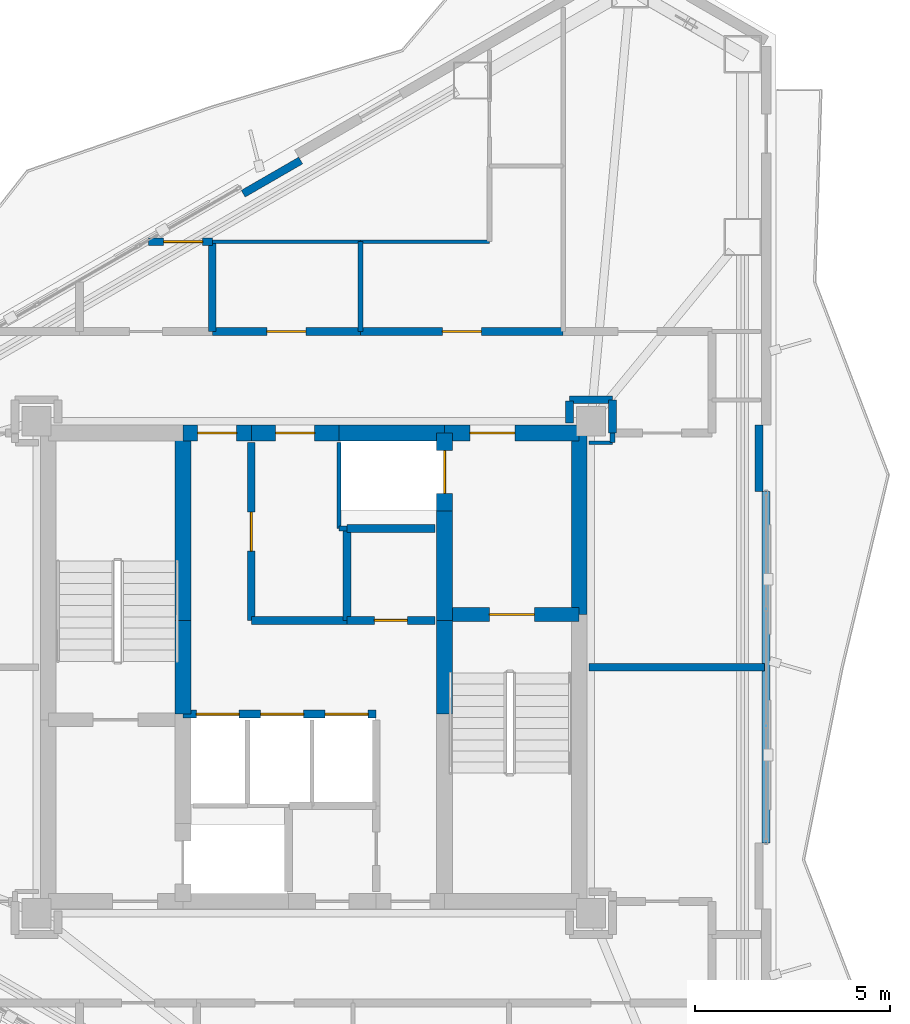
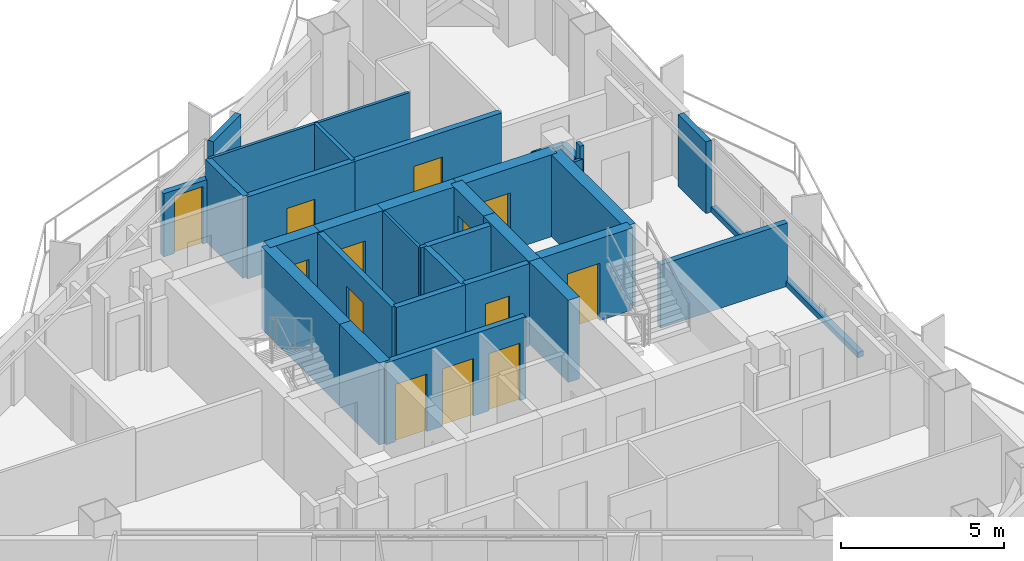
# One storey, part 18 of 21: 35 walls, 13 doors, 13 openings.
"""IFC4 building model written with IfcOpenShell, lengths in metres."""

from ifc_helpers import new_model, si_unit, direction, frame, frame_2d, origin, place, context, subcontext, project, spatial, rectangle, extrude, material, layer, layer_set, type_object, element, fill, save


model = new_model("IFC4")

# Units and contexts
model_context = context("Model", 3, precision=1e-05, world=origin(), true_north=direction((0.0, 1.0)))
body_context = subcontext(model_context, "Body", "Model", "MODEL_VIEW")
ifc_project = project(units=[si_unit("LENGTHUNIT", "METRE"), si_unit("AREAUNIT", "SQUARE_METRE"), si_unit("VOLUMEUNIT", "CUBIC_METRE"), si_unit("PLANEANGLEUNIT", "RADIAN"), si_unit("MASSUNIT", "GRAM", prefix="KILO")], contexts=[model_context])

# Site, building, storey
site_placement = place(None, origin())
site = spatial("IfcSite", under=ifc_project, at=site_placement, CompositionType="ELEMENT")
building_placement = place(site_placement, origin())
building = spatial("IfcBuilding", under=site, at=building_placement, Name="Mersakhor Tower and Convention Hall", CompositionType="ELEMENT")
storey_placement = place(building_placement, frame((0.0, 0.0, 182.10009765625)))
storey = spatial("IfcBuildingStorey", under=building, at=storey_placement, Name="L50", CompositionType="ELEMENT", Elevation=182.10009765625)

# Walls
ifc_material_1 = material(Name="Precast concrete C40/50", Category="concrete")
ifc_layer_1 = layer(ifc_material_1, 0.199951171875)
ifc_layer_set_1 = layer_set([ifc_layer_1], Name="Precast concrete C40/50")
wall_type_1 = type_object("IfcWallType", Name="WL-PAR-200", PredefinedType="PARAPET", material=ifc_layer_set_1)
wall_1_placement = place(storey_placement, frame((27.1923828125, 38.879638671875, 0.0), z_axis=(0.0, 0.0, 1.0), x_axis=(0.866025371046, 0.500000056704, 0.0)))
element("IfcWall", 1, at=wall_1_placement, inside=storey, type_object=wall_type_1, Name="L50 Column Pier Cladding Wall F1-C2", PredefinedType="PARAPET", context=body_context, shape_type="SweptSolid", body=[
    extrude(rectangle(XDim=1.7001953125, YDim=0.199951171875, at=frame_2d((0.85009765625, 0.0))), origin(), (0.0, 0.0, 1.0), 2.68994140625),
])
wall_2_placement = place(storey_placement, frame((40.58837890625, 31.24951171875, 0.0), z_axis=(0.0, 0.0, 1.0), x_axis=(0.0, -1.0, 0.0)))
element("IfcWall", 2, at=wall_2_placement, inside=storey, type_object=wall_type_1, Name="L50 Curtain Wall Upstand Sill F2-B2", PredefinedType="PARAPET", context=body_context, shape_type="SweptSolid", body=[
    extrude(rectangle(XDim=8.9990234375, YDim=0.199951171875, at=frame_2d((4.49951171875, 0.0))), origin(), (0.0, 0.0, 1.0), 0.199951171875),
])
wall_3_placement = place(storey_placement, frame((40.408447265625, 32.949462890625, 0.0), z_axis=(0.0, 0.0, 1.0), x_axis=(0.0, -1.0, 0.0)))
element("IfcWall", 3, at=wall_3_placement, inside=storey, type_object=wall_type_1, Name="L50 Column Pier Cladding Wall F2-C1", PredefinedType="PARAPET", context=body_context, shape_type="SweptSolid", body=[
    extrude(rectangle(XDim=1.699951171875, YDim=0.199951171875, at=frame_2d((0.85009765625, 0.0))), origin(), (0.0, 0.0, 1.0), 2.68994140625),
])
ifc_material_2 = material(Name="Lightweight gypsum partition", Category="other")
ifc_layer_2 = layer(ifc_material_2, 0.10009765625)
ifc_layer_set_2 = layer_set([ifc_layer_2], Name="Lightweight gypsum partition")
wall_type_2 = type_object("IfcWallType", Name="WL-PRT-100", PredefinedType="PARTITIONING", material=ifc_layer_set_2)
wall_4_placement = place(storey_placement, frame((29.64990234375, 30.300048828125, 0.0), z_axis=(0.0, 0.0, 1.0), x_axis=(0.0, 1.0, 0.0)))
element("IfcWall", 4, at=wall_4_placement, inside=storey, type_object=wall_type_2, Name="L50 Interior Partition Wall P-006", PredefinedType="PARTITIONING", context=body_context, shape_type="SweptSolid", body=[
    extrude(rectangle(XDim=2.199951171875, YDim=0.10009765625, at=frame_2d((1.10009765625, 0.0))), origin(), (0.0, 0.0, 1.0), 3.06982421875),
])
wall_5_placement = place(storey_placement, frame((36.050048828125, 32.5, 0.0), z_axis=(0.0, 0.0, 1.0), x_axis=(1.0, 0.0, 0.0)))
element("IfcWall", 5, at=wall_5_placement, inside=storey, type_object=wall_type_2, Name="L50 Interior Partition Wall P-062", PredefinedType="PARTITIONING", context=body_context, shape_type="SweptSolid", body=[
    extrude(rectangle(XDim=0.599853515625, YDim=0.10009765625, at=frame_2d((0.2998046875, 0.0))), origin(), (0.0, 0.0, 1.0), 2.594970703125),
])
wall_6_placement = place(storey_placement, frame((26.39990234375, 37.64990234375, 0.0), z_axis=(0.0, 0.0, 1.0), x_axis=(1.0, 0.0, 0.0)))
element("IfcWall", 6, at=wall_6_placement, inside=storey, type_object=wall_type_2, Name="L50 Interior Partition Wall P-072", PredefinedType="PARTITIONING", context=body_context, shape_type="SweptSolid", body=[
    extrude(rectangle(XDim=3.800048828125, YDim=0.10009765625, at=frame_2d((1.89990234375, 0.0))), origin(), (0.0, 0.0, 1.0), 3.06982421875),
])
wall_7_placement = place(storey_placement, frame((33.5, 37.64990234375, 0.0), z_axis=(0.0, 0.0, 1.0), x_axis=(-1.0, 0.0, 0.0)))
element("IfcWall", 7, at=wall_7_placement, inside=storey, type_object=wall_type_2, Name="L50 Interior Partition Wall P-076", PredefinedType="PARTITIONING", context=body_context, shape_type="SweptSolid", body=[
    extrude(rectangle(XDim=3.300048828125, YDim=0.10009765625, at=frame_2d((1.64990234375, 0.0))), origin(), (0.0, 0.0, 1.0), 3.06982421875),
])
ifc_material_3 = material(Name="Gypsum board acoustic partition", Category="other")
ifc_layer_3 = layer(ifc_material_3, 0.125)
ifc_layer_set_3 = layer_set([ifc_layer_3], Name="Gypsum board acoustic partition")
wall_type_3 = type_object("IfcWallType", Name="WL-PRT-125", PredefinedType="PARTITIONING", material=ifc_layer_set_3)
wall_8_placement = place(storey_placement, frame((29.85009765625, 30.300048828125, 0.0), z_axis=(0.0, 0.0, 1.0), x_axis=(-1.0, 0.0, 0.0)))
element("IfcWall", 8, at=wall_8_placement, inside=storey, type_object=wall_type_3, Name="L50 Interior Partition Wall P-005", PredefinedType="PARTITIONING", context=body_context, shape_type="SweptSolid", body=[
    extrude(rectangle(XDim=0.2001953125, YDim=0.125, at=frame_2d((0.10009765625, 0.0))), origin(), (0.0, 0.0, 1.0), 3.06982421875),
])
wall_9_placement = place(storey_placement, frame((36.64990234375, 32.5, 0.0), z_axis=(0.0, 0.0, 1.0), x_axis=(0.0, 1.0, 0.0)))
element("IfcWall", 9, at=wall_9_placement, inside=storey, type_object=wall_type_3, Name="L50 Interior Partition Wall P-063", PredefinedType="PARTITIONING", context=body_context, shape_type="SweptSolid", body=[
    extrude(rectangle(XDim=0.25, YDim=0.125, at=frame_2d((0.125, 0.0))), origin(), (0.0, 0.0, 1.0), 3.06982421875),
])
wall_10_placement = place(storey_placement, frame((30.199951171875, 37.64990234375, 0.0), z_axis=(0.0, 0.0, 1.0), x_axis=(0.0, -1.0, 0.0)))
element("IfcWall", 10, at=wall_10_placement, inside=storey, type_object=wall_type_3, Name="L50 Interior Partition Wall P-073", PredefinedType="PARTITIONING", context=body_context, shape_type="SweptSolid", body=[
    extrude(rectangle(XDim=2.2998046875, YDim=0.125, at=frame_2d((1.14990234375, 0.0))), origin(), (0.0, 0.0, 1.0), 3.06982421875),
])

# Wall, openings, doors
ifc_material_4 = material(Name="Acoustic concrete blockwork and gypsum board", Category="masonry")
ifc_layer_4 = layer(ifc_material_4, 0.199951171875)
ifc_layer_set_4 = layer_set([ifc_layer_4], Name="Acoustic concrete blockwork and gypsum board")
wall_type_4 = type_object("IfcWallType", Name="WL-PRT-200", PredefinedType="PARTITIONING", material=ifc_layer_set_4)
wall_11_placement = place(storey_placement, frame((25.64990234375, 25.550048828125, 0.0), z_axis=(0.0, 0.0, 1.0), x_axis=(1.0, 0.0, 0.0)))
wall_11 = element("IfcWall", 11, at=wall_11_placement, inside=storey, type_object=wall_type_4, Name="L50 High-Rise Lift Bank Front Wall", PredefinedType="PARTITIONING", context=body_context, shape_type="SweptSolid", body=[
    extrude(rectangle(XDim=4.9501953125, YDim=0.199951171875, at=frame_2d((2.47509765625, 0.0))), origin(), (0.0, 0.0, 1.0), 3.06982421875),
])
opening_1_placement = place(wall_11_placement, frame((0.340087890625, 0.0, 0.0)))
opening_1 = element("IfcOpeningElement", 12, at=opening_1_placement, cuts=wall_11, Name="Opening LD-P4", PredefinedType="OPENING", context=body_context, shape_type="SweptSolid", body=[
    extrude(rectangle(XDim=1.10009765625, YDim=2.14990234375, at=frame_2d((0.550048828125, 1.074951171875))), frame((0.0, 0.10986328125, 0.0), z_axis=(0.0, -1.0, 0.0), x_axis=(1.0, 0.0, 0.0)), (0.0, 0.0, 1.0), 0.219970703125),
])
opening_2_placement = place(wall_11_placement, frame((1.989990234375, 0.0, 0.0)))
opening_2 = element("IfcOpeningElement", 13, at=opening_2_placement, cuts=wall_11, Name="Opening LD-P5", PredefinedType="OPENING", context=body_context, shape_type="SweptSolid", body=[
    extrude(rectangle(XDim=1.10009765625, YDim=2.14990234375, at=frame_2d((0.550048828125, 1.074951171875))), frame((0.0, 0.10986328125, 0.0), z_axis=(0.0, -1.0, 0.0), x_axis=(1.0, 0.0, 0.0)), (0.0, 0.0, 1.0), 0.219970703125),
])
opening_3_placement = place(wall_11_placement, frame((3.639892578125, 0.0, 0.0)))
opening_3 = element("IfcOpeningElement", 14, at=opening_3_placement, cuts=wall_11, Name="Opening LD-P6", PredefinedType="OPENING", context=body_context, shape_type="SweptSolid", body=[
    extrude(rectangle(XDim=1.10009765625, YDim=2.14990234375, at=frame_2d((0.550048828125, 1.074951171875))), frame((0.0, 0.10986328125, 0.0), z_axis=(0.0, -1.0, 0.0), x_axis=(1.0, 0.0, 0.0)), (0.0, 0.0, 1.0), 0.219970703125),
])
ifc_material_5 = material(Name="Fire-rated brushed stainless steel sliding landing door", Category="steel")
door_type_1 = type_object("IfcDoorType", Name="DR-LIFT-SLD-110x215", OperationType="NOTDEFINED", PredefinedType="DOOR", material=ifc_material_5)
door_1_placement = place(opening_1_placement, origin())
door_1 = element("IfcDoor", 15, at=door_1_placement, inside=storey, type_object=door_type_1, Name="L50 Lift Landing Door LD-P4", OperationType="SLIDING_TO_LEFT", OverallHeight=2.14990234375, OverallWidth=1.10009765625, PredefinedType="DOOR", context=body_context, shape_type="SweptSolid", body=[
    extrude(rectangle(XDim=1.10009765625, YDim=2.14990234375, at=frame_2d((0.550048828125, 1.074951171875))), frame((0.0, 0.02490234375, 0.0), z_axis=(0.0, -1.0, 0.0), x_axis=(1.0, 0.0, 0.0)), (0.0, 0.0, 1.0), 0.050048828125),
])
fill(opening_1, door_1)
door_2_placement = place(opening_2_placement, origin())
door_2 = element("IfcDoor", 16, at=door_2_placement, inside=storey, type_object=door_type_1, Name="L50 Lift Landing Door LD-P5", OperationType="SLIDING_TO_LEFT", OverallHeight=2.14990234375, OverallWidth=1.10009765625, PredefinedType="DOOR", context=body_context, shape_type="SweptSolid", body=[
    extrude(rectangle(XDim=1.10009765625, YDim=2.14990234375, at=frame_2d((0.550048828125, 1.074951171875))), frame((0.0, 0.02490234375, 0.0), z_axis=(0.0, -1.0, 0.0), x_axis=(1.0, 0.0, 0.0)), (0.0, 0.0, 1.0), 0.050048828125),
])
fill(opening_2, door_2)
door_3_placement = place(opening_3_placement, origin())
door_3 = element("IfcDoor", 17, at=door_3_placement, inside=storey, type_object=door_type_1, Name="L50 Lift Landing Door LD-P6", OperationType="SLIDING_TO_LEFT", OverallHeight=2.14990234375, OverallWidth=1.10009765625, PredefinedType="DOOR", context=body_context, shape_type="SweptSolid", body=[
    extrude(rectangle(XDim=1.10009765625, YDim=2.14990234375, at=frame_2d((0.550048828125, 1.074951171875))), frame((0.0, 0.02490234375, 0.0), z_axis=(0.0, -1.0, 0.0), x_axis=(1.0, 0.0, 0.0)), (0.0, 0.0, 1.0), 0.050048828125),
])
fill(opening_3, door_3)

# Wall
wall_12_placement = place(storey_placement, frame((32.10009765625, 30.300048828125, 0.0), z_axis=(0.0, 0.0, 1.0), x_axis=(-1.0, 0.0, 0.0)))
element("IfcWall", 18, at=wall_12_placement, inside=storey, type_object=wall_type_4, Name="L50 Interior Partition Wall P-004", PredefinedType="PARTITIONING", context=body_context, shape_type="SweptSolid", body=[
    extrude(rectangle(XDim=2.25, YDim=0.199951171875, at=frame_2d((1.125, 0.0))), origin(), (0.0, 0.0, 1.0), 3.06982421875),
])

# Wall, opening, door
wall_13_placement = place(storey_placement, frame((27.39990234375, 32.5, 0.0), z_axis=(0.0, 0.0, 1.0), x_axis=(0.0, -1.0, 0.0)))
wall_13 = element("IfcWall", 19, at=wall_13_placement, inside=storey, type_object=wall_type_4, Name="L50 Interior Partition Wall P-013", PredefinedType="PARTITIONING", context=body_context, shape_type="SweptSolid", body=[
    extrude(rectangle(XDim=4.550048828125, YDim=0.199951171875, at=frame_2d((2.27490234375, 0.0))), origin(), (0.0, 0.0, 1.0), 3.06982421875),
])
opening_4_placement = place(wall_13_placement, frame((1.77490234375, 0.0, 0.0)))
opening_4 = element("IfcOpeningElement", 20, at=opening_4_placement, cuts=wall_13, Name="Opening FD-01", PredefinedType="OPENING", context=body_context, shape_type="SweptSolid", body=[
    extrude(rectangle(XDim=1.0, YDim=2.14990234375, at=frame_2d((0.5, 1.074951171875))), frame((0.0, 0.10986328125, 0.0), z_axis=(0.0, -1.0, 0.0), x_axis=(1.0, 0.0, 0.0)), (0.0, 0.0, 1.0), 0.219970703125),
])
ifc_material_6 = material(Name="Fire-rated hardwood leaf and painted steel frame", Category="steel")
door_type_2 = type_object("IfcDoorType", Name="DR-INT-FLT-100x215", OperationType="NOTDEFINED", PredefinedType="DOOR", material=ifc_material_6)
door_4_placement = place(opening_4_placement, origin())
door_4 = element("IfcDoor", 21, at=door_4_placement, inside=storey, type_object=door_type_2, Name="L50 Central Passenger Lift Lobby to Communal Resident Laundry Room Door", OperationType="SINGLE_SWING_RIGHT", OverallHeight=2.14990234375, OverallWidth=1.0, PredefinedType="DOOR", context=body_context, shape_type="SweptSolid", body=[
    extrude(rectangle(XDim=1.0, YDim=2.14990234375, at=frame_2d((0.5, 1.074951171875))), frame((0.0, 0.02490234375, 0.0), z_axis=(0.0, -1.0, 0.0), x_axis=(1.0, 0.0, 0.0)), (0.0, 0.0, 1.0), 0.050048828125),
])
fill(opening_4, door_4)

# Wall
wall_14_placement = place(storey_placement, frame((27.39990234375, 27.949951171875, 0.0), z_axis=(0.0, 0.0, 1.0), x_axis=(1.0, 0.0, 0.0)))
element("IfcWall", 22, at=wall_14_placement, inside=storey, type_object=wall_type_4, Name="L50 Interior Partition Wall P-014", PredefinedType="PARTITIONING", context=body_context, shape_type="SweptSolid", body=[
    extrude(rectangle(XDim=2.4501953125, YDim=0.199951171875, at=frame_2d((1.22509765625, 0.0))), origin(), (0.0, 0.0, 1.0), 3.06982421875),
])

# Wall, opening, door
wall_15_placement = place(storey_placement, frame((29.85009765625, 27.949951171875, 0.0), z_axis=(0.0, 0.0, 1.0), x_axis=(1.0, 0.0, 0.0)))
wall_15 = element("IfcWall", 23, at=wall_15_placement, inside=storey, type_object=wall_type_4, Name="L50 Interior Partition Wall P-015", PredefinedType="PARTITIONING", context=body_context, shape_type="SweptSolid", body=[
    extrude(rectangle(XDim=2.25, YDim=0.199951171875, at=frame_2d((1.125, 0.0))), origin(), (0.0, 0.0, 1.0), 3.06982421875),
])
opening_5_placement = place(wall_15_placement, frame((0.699951171875, 0.0, 0.0)))
opening_5 = element("IfcOpeningElement", 24, at=opening_5_placement, cuts=wall_15, Name="Opening SVD-01", PredefinedType="OPENING", context=body_context, shape_type="SweptSolid", body=[
    extrude(rectangle(XDim=0.85009765625, YDim=2.10009765625, at=frame_2d((0.425048828125, 1.050048828125))), frame((0.0, 0.10986328125, 0.0), z_axis=(0.0, -1.0, 0.0), x_axis=(1.0, 0.0, 0.0)), (0.0, 0.0, 1.0), 0.219970703125),
])
ifc_material_7 = material(Name="Fire-rated hardwood leaf and painted steel frame", Category="steel")
door_type_3 = type_object("IfcDoorType", Name="DR-INT-SVC-085x210", OperationType="NOTDEFINED", PredefinedType="DOOR", material=ifc_material_7)
door_5_placement = place(opening_5_placement, origin())
door_5 = element("IfcDoor", 25, at=door_5_placement, inside=storey, type_object=door_type_3, Name="L50 Central Passenger Lift Lobby to Resident Pram and Linen Store Room Door", OperationType="SINGLE_SWING_LEFT", OverallHeight=2.10009765625, OverallWidth=0.85009765625, PredefinedType="DOOR", context=body_context, shape_type="SweptSolid", body=[
    extrude(rectangle(XDim=0.85009765625, YDim=2.10009765625, at=frame_2d((0.425048828125, 1.050048828125))), frame((0.0, 0.02490234375, 0.0), z_axis=(0.0, -1.0, 0.0), x_axis=(1.0, 0.0, 0.0)), (0.0, 0.0, 1.0), 0.050048828125),
])
fill(opening_5, door_5)

# Walls
wall_16_placement = place(storey_placement, frame((36.64990234375, 32.75, 0.0), z_axis=(0.0, 0.0, 1.0), x_axis=(0.0, 1.0, 0.0)))
element("IfcWall", 26, at=wall_16_placement, inside=storey, type_object=wall_type_4, Name="L50 Interior Partition Wall P-019", PredefinedType="PARTITIONING", context=body_context, shape_type="SweptSolid", body=[
    extrude(rectangle(XDim=0.85009765625, YDim=0.199951171875, at=frame_2d((0.425048828125, 0.0))), origin(), (0.0, 0.0, 1.0), 2.518310546875),
])
wall_17_placement = place(storey_placement, frame((36.64990234375, 33.60009765625, 0.0), z_axis=(0.0, 0.0, 1.0), x_axis=(-1.0, 0.0, 0.0)))
element("IfcWall", 27, at=wall_17_placement, inside=storey, type_object=wall_type_4, Name="L50 Interior Partition Wall P-020", PredefinedType="PARTITIONING", context=body_context, shape_type="SweptSolid", body=[
    extrude(rectangle(XDim=1.099853515625, YDim=0.199951171875, at=frame_2d((0.5498046875, 0.0))), origin(), (0.0, 0.0, 1.0), 2.518310546875),
])
wall_18_placement = place(storey_placement, frame((35.550048828125, 33.570068359375, 0.0), z_axis=(0.0, 0.0, 1.0), x_axis=(0.0, -1.0, 0.0)))
element("IfcWall", 28, at=wall_18_placement, inside=storey, type_object=wall_type_4, Name="L50 Interior Partition Wall P-021", PredefinedType="PARTITIONING", context=body_context, shape_type="SweptSolid", body=[
    extrude(rectangle(XDim=0.570068359375, YDim=0.199951171875, at=frame_2d((0.28515625, 0.0))), origin(), (0.0, 0.0, 1.0), 2.594970703125),
])

# Wall, opening, door
wall_19_placement = place(storey_placement, frame((26.39990234375, 35.35009765625, 0.0), z_axis=(0.0, 0.0, 1.0), x_axis=(1.0, 0.0, 0.0)))
wall_19 = element("IfcWall", 29, at=wall_19_placement, inside=storey, type_object=wall_type_4, Name="L50 Interior Partition Wall P-030", PredefinedType="PARTITIONING", context=body_context, shape_type="SweptSolid", body=[
    extrude(rectangle(XDim=3.800048828125, YDim=0.199951171875, at=frame_2d((1.89990234375, 0.0))), origin(), (0.0, 0.0, 1.0), 3.06982421875),
])
opening_6_placement = place(wall_19_placement, frame((1.39990234375, 0.0, 0.0)))
opening_6 = element("IfcOpeningElement", 30, at=opening_6_placement, cuts=wall_19, Name="Opening FD-01", PredefinedType="OPENING", context=body_context, shape_type="SweptSolid", body=[
    extrude(rectangle(XDim=1.0, YDim=2.14990234375, at=frame_2d((0.5, 1.074951171875))), frame((0.0, 0.10986328125, 0.0), z_axis=(0.0, -1.0, 0.0), x_axis=(1.0, 0.0, 0.0)), (0.0, 0.0, 1.0), 0.219970703125),
])
door_6_placement = place(opening_6_placement, origin())
door_6 = element("IfcDoor", 31, at=door_6_placement, inside=storey, type_object=door_type_2, Name="L50 Residential North Gallery Corridor to L50 Floor Shared Tea Pantry 1-2 Door", OperationType="SINGLE_SWING_LEFT", OverallHeight=2.14990234375, OverallWidth=1.0, PredefinedType="DOOR", context=body_context, shape_type="SweptSolid", body=[
    extrude(rectangle(XDim=1.0, YDim=2.14990234375, at=frame_2d((0.5, 1.074951171875))), frame((0.0, 0.02490234375, 0.0), z_axis=(0.0, -1.0, 0.0), x_axis=(1.0, 0.0, 0.0)), (0.0, 0.0, 1.0), 0.050048828125),
])
fill(opening_6, door_6)

wall_20_placement = place(storey_placement, frame((30.199951171875, 35.35009765625, 0.0), z_axis=(0.0, 0.0, 1.0), x_axis=(1.0, 0.0, 0.0)))
wall_20 = element("IfcWall", 32, at=wall_20_placement, inside=storey, type_object=wall_type_4, Name="L50 Interior Partition Wall P-031", PredefinedType="PARTITIONING", context=body_context, shape_type="SweptSolid", body=[
    extrude(rectangle(XDim=5.18994140625, YDim=0.199951171875, at=frame_2d((2.594970703125, 0.0))), origin(), (0.0, 0.0, 1.0), 3.06982421875),
])
opening_7_placement = place(wall_20_placement, frame((2.094970703125, 0.0, 0.0)))
opening_7 = element("IfcOpeningElement", 33, at=opening_7_placement, cuts=wall_20, Name="Opening FD-01", PredefinedType="OPENING", context=body_context, shape_type="SweptSolid", body=[
    extrude(rectangle(XDim=1.0, YDim=2.14990234375, at=frame_2d((0.5, 1.074951171875))), frame((0.0, 0.10986328125, 0.0), z_axis=(0.0, -1.0, 0.0), x_axis=(1.0, 0.0, 0.0)), (0.0, 0.0, 1.0), 0.219970703125),
])
door_7_placement = place(opening_7_placement, origin())
door_7 = element("IfcDoor", 34, at=door_7_placement, inside=storey, type_object=door_type_2, Name="L50 Residential North Gallery Corridor to L50 Floor Residents Study Room 1-4 Door", OperationType="SINGLE_SWING_RIGHT", OverallHeight=2.14990234375, OverallWidth=1.0, PredefinedType="DOOR", context=body_context, shape_type="SweptSolid", body=[
    extrude(rectangle(XDim=1.0, YDim=2.14990234375, at=frame_2d((0.5, 1.074951171875))), frame((0.0, 0.02490234375, 0.0), z_axis=(0.0, -1.0, 0.0), x_axis=(1.0, 0.0, 0.0)), (0.0, 0.0, 1.0), 0.050048828125),
])
fill(opening_7, door_7)

# Walls
wall_21_placement = place(storey_placement, frame((29.85009765625, 30.300048828125, 0.0), z_axis=(0.0, 0.0, 1.0), x_axis=(0.0, -1.0, 0.0)))
element("IfcWall", 35, at=wall_21_placement, inside=storey, type_object=wall_type_4, Name="L50 Interior Partition Wall P-055", PredefinedType="PARTITIONING", context=body_context, shape_type="SweptSolid", body=[
    extrude(rectangle(XDim=2.35009765625, YDim=0.199951171875, at=frame_2d((1.175048828125, 0.0))), origin(), (0.0, 0.0, 1.0), 3.06982421875),
])
wall_22_placement = place(storey_placement, frame((40.55029296875, 26.75, 0.0), z_axis=(0.0, 0.0, 1.0), x_axis=(-1.0, 0.0, 0.0)))
element("IfcWall", 36, at=wall_22_placement, inside=storey, type_object=wall_type_4, Name="L50 Interior Partition Wall P-065", PredefinedType="PARTITIONING", context=body_context, shape_type="SweptSolid", body=[
    extrude(rectangle(XDim=4.500244140625, YDim=0.199951171875, at=frame_2d((2.25, 0.0))), origin(), (0.0, 0.0, 1.0), 2.364990234375),
])

# Wall, opening, door
wall_23_placement = place(storey_placement, frame((24.771484375, 37.64990234375, 0.0), z_axis=(0.0, 0.0, 1.0), x_axis=(1.0, 0.0, 0.0)))
wall_23 = element("IfcWall", 37, at=wall_23_placement, inside=storey, type_object=wall_type_4, Name="L50 Interior Partition Wall P-069", PredefinedType="PARTITIONING", context=body_context, shape_type="SweptSolid", body=[
    extrude(rectangle(XDim=1.62841796875, YDim=0.199951171875, at=frame_2d((0.814208984375, 0.0))), origin(), (0.0, 0.0, 1.0), 2.364990234375),
])
opening_8_placement = place(wall_23_placement, frame((0.384521484375, 0.0, 0.0)))
opening_8 = element("IfcOpeningElement", 38, at=opening_8_placement, cuts=wall_23, Name="Opening FD-01", PredefinedType="OPENING", context=body_context, shape_type="SweptSolid", body=[
    extrude(rectangle(XDim=1.0, YDim=2.14990234375, at=frame_2d((0.5, 1.074951171875))), frame((0.0, 0.10986328125, 0.0), z_axis=(0.0, -1.0, 0.0), x_axis=(1.0, 0.0, 0.0)), (0.0, 0.0, 1.0), 0.219970703125),
])
door_8_placement = place(opening_8_placement, origin())
door_8 = element("IfcDoor", 39, at=door_8_placement, inside=storey, type_object=door_type_2, Name="L50 L50 Floor Household Store Room 1-1 to L50 Floor Residents Study Room 1-3 Door", OperationType="SINGLE_SWING_LEFT", OverallHeight=2.14990234375, OverallWidth=1.0, PredefinedType="DOOR", context=body_context, shape_type="SweptSolid", body=[
    extrude(rectangle(XDim=1.0, YDim=2.14990234375, at=frame_2d((0.5, 1.074951171875))), frame((0.0, 0.02490234375, 0.0), z_axis=(0.0, -1.0, 0.0), x_axis=(1.0, 0.0, 0.0)), (0.0, 0.0, 1.0), 0.050048828125),
])
fill(opening_8, door_8)

# Wall
wall_24_placement = place(storey_placement, frame((26.39990234375, 37.64990234375, 0.0), z_axis=(0.0, 0.0, 1.0), x_axis=(0.0, -1.0, 0.0)))
element("IfcWall", 40, at=wall_24_placement, inside=storey, type_object=wall_type_4, Name="L50 Interior Partition Wall P-070", PredefinedType="PARTITIONING", context=body_context, shape_type="SweptSolid", body=[
    extrude(rectangle(XDim=2.2998046875, YDim=0.199951171875, at=frame_2d((1.14990234375, 0.0))), origin(), (0.0, 0.0, 1.0), 3.06982421875),
])

# Wall, opening, door
ifc_material_8 = material(Name="Concrete C50/60", Category="concrete")
ifc_layer_5 = layer(ifc_material_8, 0.35009765625)
ifc_layer_set_5 = layer_set([ifc_layer_5], Name="Concrete C50/60")
wall_type_5 = type_object("IfcWallType", Name="WL-SHR-350", PredefinedType="SHEAR", material=ifc_layer_set_5)
wall_25_placement = place(storey_placement, frame((32.35009765625, 28.10009765625, 0.0), z_axis=(0.0, 0.0, 1.0), x_axis=(1.0, 0.0, 0.0)))
wall_25 = element("IfcWall", 41, at=wall_25_placement, inside=storey, type_object=wall_type_5, Name="L50 Core Wall CS-ST2-N", PredefinedType="SHEAR", context=body_context, shape_type="SweptSolid", body=[
    extrude(rectangle(XDim=3.449951171875, YDim=0.35009765625, at=frame_2d((1.72509765625, 0.0))), origin(), (0.0, 0.0, 1.0), 3.06982421875),
])
opening_9_placement = place(wall_25_placement, frame((1.14990234375, 0.0, 0.0)))
opening_9 = element("IfcOpeningElement", 42, at=opening_9_placement, cuts=wall_25, Name="Opening SD-01", PredefinedType="OPENING", context=body_context, shape_type="SweptSolid", body=[
    extrude(rectangle(XDim=1.14990234375, YDim=2.14990234375, at=frame_2d((0.574951171875, 1.074951171875))), frame((0.0, 0.18505859375, 0.0), z_axis=(0.0, -1.0, 0.0), x_axis=(1.0, 0.0, 0.0)), (0.0, 0.0, 1.0), 0.3701171875),
])
ifc_material_9 = material(Name="Fire-rated hardwood leaf and painted steel frame", Category="steel")
door_type_4 = type_object("IfcDoorType", Name="DR-INT-STAIR-115x215", OperationType="NOTDEFINED", PredefinedType="DOOR", material=ifc_material_9)
door_9_placement = place(opening_9_placement, origin())
door_9 = element("IfcDoor", 43, at=door_9_placement, inside=storey, type_object=door_type_4, Name="L50 Exit Stair ST-2 Enclosure Door", OperationType="SINGLE_SWING_RIGHT", OverallHeight=2.14990234375, OverallWidth=1.14990234375, PredefinedType="DOOR", context=body_context, shape_type="SweptSolid", body=[
    extrude(rectangle(XDim=1.14990234375, YDim=2.14990234375, at=frame_2d((0.574951171875, 1.074951171875))), frame((0.0, 0.02490234375, 0.0), z_axis=(0.0, -1.0, 0.0), x_axis=(1.0, 0.0, 0.0)), (0.0, 0.0, 1.0), 0.050048828125),
])
fill(opening_9, door_9)

ifc_material_10 = material(Name="Concrete C60/75", Category="concrete")
ifc_layer_6 = layer(ifc_material_10, 0.39990234375)
ifc_layer_set_6 = layer_set([ifc_layer_6], Name="Concrete C60/75")
wall_type_6 = type_object("IfcWallType", Name="WL-SHR-400", PredefinedType="SHEAR", material=ifc_layer_set_6)
wall_26_placement = place(storey_placement, frame((25.64990234375, 32.75, 0.0), z_axis=(0.0, 0.0, 1.0), x_axis=(1.0, 0.0, 0.0)))
wall_26 = element("IfcWall", 44, at=wall_26_placement, inside=storey, type_object=wall_type_6, Name="L50 Core Wall CW-N2A", PredefinedType="SHEAR", context=body_context, shape_type="SweptSolid", body=[
    extrude(rectangle(XDim=1.75, YDim=0.39990234375, at=frame_2d((0.875, 0.0))), origin(), (0.0, 0.0, 1.0), 3.06982421875),
])
opening_10_placement = place(wall_26_placement, frame((0.375, 0.0, 0.0)))
opening_10 = element("IfcOpeningElement", 45, at=opening_10_placement, cuts=wall_26, Name="Opening CFD-01", PredefinedType="OPENING", context=body_context, shape_type="SweptSolid", body=[
    extrude(rectangle(XDim=1.0, YDim=2.14990234375, at=frame_2d((0.5, 1.074951171875))), frame((0.0, 0.2099609375, 0.0), z_axis=(0.0, -1.0, 0.0), x_axis=(1.0, 0.0, 0.0)), (0.0, 0.0, 1.0), 0.419921875),
])
ifc_material_11 = material(Name="Fire-rated hardwood leaf and painted steel frame", Category="steel")
door_type_5 = type_object("IfcDoorType", Name="DR-CORE-FD-100x215", OperationType="NOTDEFINED", PredefinedType="DOOR", material=ifc_material_11)
door_10_placement = place(opening_10_placement, origin())
door_10 = element("IfcDoor", 46, at=door_10_placement, inside=storey, type_object=door_type_5, Name="L50 Lift Lobby North Corridor Door", OperationType="SINGLE_SWING_LEFT", OverallHeight=2.14990234375, OverallWidth=1.0, PredefinedType="DOOR", context=body_context, shape_type="SweptSolid", body=[
    extrude(rectangle(XDim=1.0, YDim=2.14990234375, at=frame_2d((0.5, 1.074951171875))), frame((0.0, 0.02490234375, 0.0), z_axis=(0.0, -1.0, 0.0), x_axis=(1.0, 0.0, 0.0)), (0.0, 0.0, 1.0), 0.050048828125),
])
fill(opening_10, door_10)

wall_27_placement = place(storey_placement, frame((27.39990234375, 32.75, 0.0), z_axis=(0.0, 0.0, 1.0), x_axis=(1.0, 0.0, 0.0)))
wall_27 = element("IfcWall", 47, at=wall_27_placement, inside=storey, type_object=wall_type_6, Name="L50 Core Wall CW-N2B", PredefinedType="SHEAR", context=body_context, shape_type="SweptSolid", body=[
    extrude(rectangle(XDim=2.25, YDim=0.39990234375, at=frame_2d((1.125, 0.0))), origin(), (0.0, 0.0, 1.0), 3.06982421875),
])
opening_11_placement = place(wall_27_placement, frame((0.625, 0.0, 0.0)))
opening_11 = element("IfcOpeningElement", 48, at=opening_11_placement, cuts=wall_27, Name="Opening FD-01", PredefinedType="OPENING", context=body_context, shape_type="SweptSolid", body=[
    extrude(rectangle(XDim=1.0, YDim=2.14990234375, at=frame_2d((0.5, 1.074951171875))), frame((0.0, 0.2099609375, 0.0), z_axis=(0.0, -1.0, 0.0), x_axis=(1.0, 0.0, 0.0)), (0.0, 0.0, 1.0), 0.419921875),
])
door_11_placement = place(opening_11_placement, origin())
door_11 = element("IfcDoor", 49, at=door_11_placement, inside=storey, type_object=door_type_2, Name="L50 Residential North Gallery Corridor to Communal Resident Laundry Room Door", OperationType="SINGLE_SWING_RIGHT", OverallHeight=2.14990234375, OverallWidth=1.0, PredefinedType="DOOR", context=body_context, shape_type="SweptSolid", body=[
    extrude(rectangle(XDim=1.0, YDim=2.14990234375, at=frame_2d((0.5, 1.074951171875))), frame((0.0, 0.02490234375, 0.0), z_axis=(0.0, -1.0, 0.0), x_axis=(1.0, 0.0, 0.0)), (0.0, 0.0, 1.0), 0.050048828125),
])
fill(opening_11, door_11)

# Wall
wall_28_placement = place(storey_placement, frame((29.64990234375, 32.75, 0.0), z_axis=(0.0, 0.0, 1.0), x_axis=(1.0, 0.0, 0.0)))
element("IfcWall", 50, at=wall_28_placement, inside=storey, type_object=wall_type_6, Name="L50 Core Wall CW-N3", PredefinedType="SHEAR", context=body_context, shape_type="SweptSolid", body=[
    extrude(rectangle(XDim=2.7001953125, YDim=0.39990234375, at=frame_2d((1.35009765625, 0.0))), origin(), (0.0, 0.0, 1.0), 3.06982421875),
])

# Wall, opening, door
wall_29_placement = place(storey_placement, frame((32.35009765625, 32.75, 0.0), z_axis=(0.0, 0.0, 1.0), x_axis=(1.0, 0.0, 0.0)))
wall_29 = element("IfcWall", 51, at=wall_29_placement, inside=storey, type_object=wall_type_6, Name="L50 Core Wall CW-N4", PredefinedType="SHEAR", context=body_context, shape_type="SweptSolid", body=[
    extrude(rectangle(XDim=3.449951171875, YDim=0.39990234375, at=frame_2d((1.72509765625, 0.0))), origin(), (0.0, 0.0, 1.0), 3.06982421875),
])
opening_12_placement = place(wall_29_placement, frame((0.64990234375, 0.0, 0.0)))
opening_12 = element("IfcOpeningElement", 52, at=opening_12_placement, cuts=wall_29, Name="Opening SD-01", PredefinedType="OPENING", context=body_context, shape_type="SweptSolid", body=[
    extrude(rectangle(XDim=1.14990234375, YDim=2.14990234375, at=frame_2d((0.574951171875, 1.074951171875))), frame((0.0, 0.2099609375, 0.0), z_axis=(0.0, -1.0, 0.0), x_axis=(1.0, 0.0, 0.0)), (0.0, 0.0, 1.0), 0.419921875),
])
door_12_placement = place(opening_12_placement, origin())
door_12 = element("IfcDoor", 53, at=door_12_placement, inside=storey, type_object=door_type_4, Name="L50 Firefighting Lobby East Fire Door", OperationType="SINGLE_SWING_RIGHT", OverallHeight=2.14990234375, OverallWidth=1.14990234375, PredefinedType="DOOR", context=body_context, shape_type="SweptSolid", body=[
    extrude(rectangle(XDim=1.14990234375, YDim=2.14990234375, at=frame_2d((0.574951171875, 1.074951171875))), frame((0.0, 0.02490234375, 0.0), z_axis=(0.0, -1.0, 0.0), x_axis=(1.0, 0.0, 0.0)), (0.0, 0.0, 1.0), 0.050048828125),
])
fill(opening_12, door_12)

# Walls
wall_30_placement = place(storey_placement, frame((35.800048828125, 32.75, 0.0), z_axis=(0.0, 0.0, 1.0), x_axis=(0.0, -1.0, 0.0)))
element("IfcWall", 54, at=wall_30_placement, inside=storey, type_object=wall_type_6, Name="L50 Core Wall CW-E1", PredefinedType="SHEAR", context=body_context, shape_type="SweptSolid", body=[
    extrude(rectangle(XDim=4.64990234375, YDim=0.39990234375, at=frame_2d((2.324951171875, 0.0))), origin(), (0.0, 0.0, 1.0), 3.06982421875),
])
wall_31_placement = place(storey_placement, frame((25.64990234375, 25.550048828125, 0.0), z_axis=(0.0, 0.0, 1.0), x_axis=(0.0, 1.0, 0.0)))
element("IfcWall", 55, at=wall_31_placement, inside=storey, type_object=wall_type_6, Name="L50 Core Wall CS-W-LOB", PredefinedType="SHEAR", context=body_context, shape_type="SweptSolid", body=[
    extrude(rectangle(XDim=2.39990234375, YDim=0.39990234375, at=frame_2d((1.199951171875, 0.0))), origin(), (0.0, 0.0, 1.0), 3.06982421875),
])
wall_32_placement = place(storey_placement, frame((25.64990234375, 27.949951171875, 0.0), z_axis=(0.0, 0.0, 1.0), x_axis=(0.0, 1.0, 0.0)))
element("IfcWall", 56, at=wall_32_placement, inside=storey, type_object=wall_type_6, Name="L50 Core Wall CS-W-ST1", PredefinedType="SHEAR", context=body_context, shape_type="SweptSolid", body=[
    extrude(rectangle(XDim=4.800048828125, YDim=0.39990234375, at=frame_2d((2.39990234375, 0.0))), origin(), (0.0, 0.0, 1.0), 3.06982421875),
])
wall_33_placement = place(storey_placement, frame((32.35009765625, 25.550048828125, 0.0), z_axis=(0.0, 0.0, 1.0), x_axis=(0.0, 1.0, 0.0)))
element("IfcWall", 57, at=wall_33_placement, inside=storey, type_object=wall_type_6, Name="L50 Core Wall CS-E-LOB", PredefinedType="SHEAR", context=body_context, shape_type="SweptSolid", body=[
    extrude(rectangle(XDim=2.39990234375, YDim=0.39990234375, at=frame_2d((1.199951171875, 0.0))), origin(), (0.0, 0.0, 1.0), 3.06982421875),
])
wall_34_placement = place(storey_placement, frame((32.35009765625, 27.949951171875, 0.0), z_axis=(0.0, 0.0, 1.0), x_axis=(0.0, 1.0, 0.0)))
element("IfcWall", 58, at=wall_34_placement, inside=storey, type_object=wall_type_6, Name="L50 Core Wall CS-E-MID", PredefinedType="SHEAR", context=body_context, shape_type="SweptSolid", body=[
    extrude(rectangle(XDim=2.800048828125, YDim=0.39990234375, at=frame_2d((1.39990234375, 0.0))), origin(), (0.0, 0.0, 1.0), 3.06982421875),
])

# Wall, opening, door
wall_35_placement = place(storey_placement, frame((32.35009765625, 30.75, 0.0), z_axis=(0.0, 0.0, 1.0), x_axis=(0.0, 1.0, 0.0)))
wall_35 = element("IfcWall", 59, at=wall_35_placement, inside=storey, type_object=wall_type_6, Name="L50 Core Wall CS-E-FFL", PredefinedType="SHEAR", context=body_context, shape_type="SweptSolid", body=[
    extrude(rectangle(XDim=2.0, YDim=0.39990234375, at=frame_2d((1.0, 0.0))), origin(), (0.0, 0.0, 1.0), 3.06982421875),
])
opening_13_placement = place(wall_35_placement, frame((0.449951171875, 0.0, 0.0)))
opening_13 = element("IfcOpeningElement", 60, at=opening_13_placement, cuts=wall_35, Name="Opening LD-FFL2", PredefinedType="OPENING", context=body_context, shape_type="SweptSolid", body=[
    extrude(rectangle(XDim=1.10009765625, YDim=2.14990234375, at=frame_2d((0.550048828125, 1.074951171875))), frame((0.0, 0.2099609375, 0.0), z_axis=(0.0, -1.0, 0.0), x_axis=(1.0, 0.0, 0.0)), (0.0, 0.0, 1.0), 0.419921875),
])
door_13_placement = place(opening_13_placement, origin())
door_13 = element("IfcDoor", 61, at=door_13_placement, inside=storey, type_object=door_type_1, Name="L50 Firefighting Lift Landing Door LD-FFL2", OperationType="SLIDING_TO_LEFT", OverallHeight=2.14990234375, OverallWidth=1.10009765625, PredefinedType="DOOR", context=body_context, shape_type="SweptSolid", body=[
    extrude(rectangle(XDim=1.10009765625, YDim=2.14990234375, at=frame_2d((0.550048828125, 1.074951171875))), frame((0.0, 0.02490234375, 0.0), z_axis=(0.0, -1.0, 0.0), x_axis=(1.0, 0.0, 0.0)), (0.0, 0.0, 1.0), 0.050048828125),
])
fill(opening_13, door_13)

save(model, "model.ifc")
